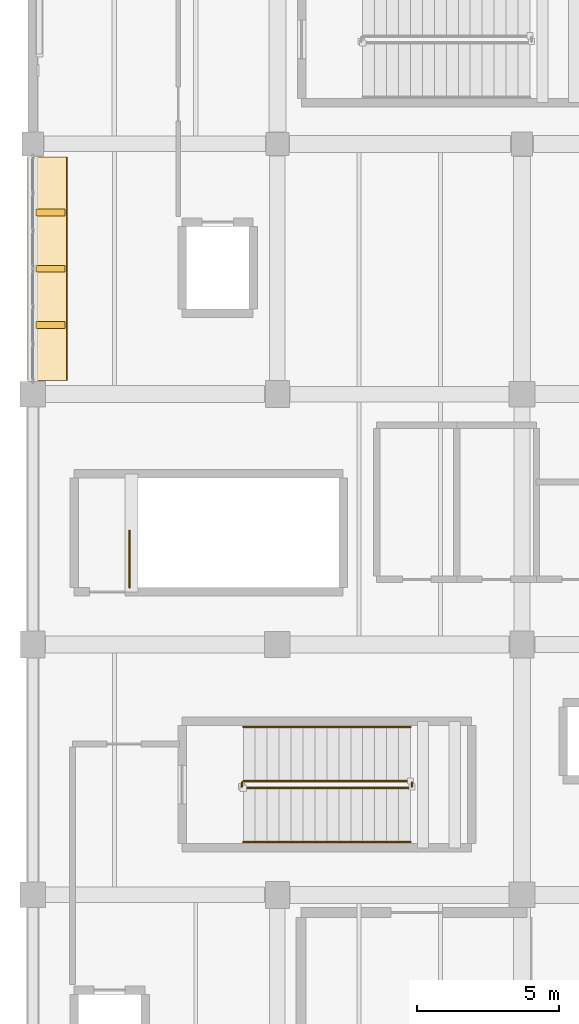
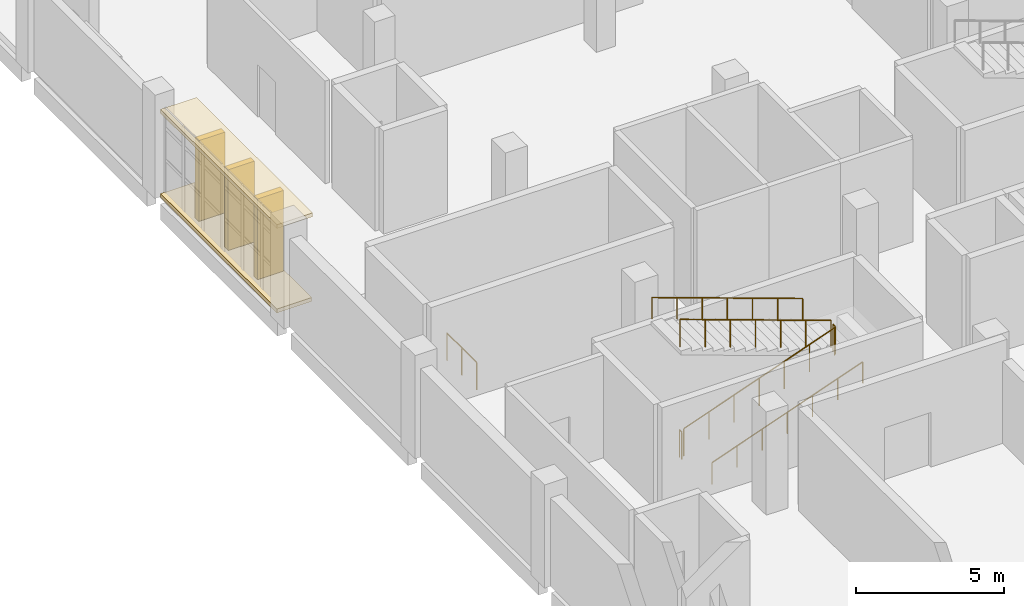
# One storey, part 66 of 76: 7 railings, 3 shading devices, 2 coverings.
"""IFC4 building model written with IfcOpenShell, lengths in metres."""

from ifc_helpers import new_model, si_unit, direction, frame, origin, origin_2d, place, context, subcontext, project, spatial, polyline, rectangle, circle, outline, extrude, material, layer, layer_set, type_object, element, save


model = new_model("IFC4")

# Units and contexts
model_context = context("Model", 3, precision=1e-05, world=origin(), true_north=direction((0.0, 1.0)))
body_context = subcontext(model_context, "Body", "Model", "MODEL_VIEW")
ifc_project = project(units=[si_unit("LENGTHUNIT", "METRE"), si_unit("AREAUNIT", "SQUARE_METRE"), si_unit("VOLUMEUNIT", "CUBIC_METRE"), si_unit("PLANEANGLEUNIT", "RADIAN"), si_unit("MASSUNIT", "GRAM", prefix="KILO")], contexts=[model_context])

# Site, building, storey
site_placement = place(None, origin())
site = spatial("IfcSite", under=ifc_project, at=site_placement, CompositionType="ELEMENT")
building_placement = place(site_placement, origin())
building = spatial("IfcBuilding", under=site, at=building_placement, Name="Varnakota Cinema and Media Centre", CompositionType="ELEMENT")
storey_placement = place(building_placement, origin())
storey = spatial("IfcBuildingStorey", under=building, at=storey_placement, Name="L00", CompositionType="ELEMENT", Elevation=0.0)

# Coverings
ifc_material_1 = material(Name="Precast concrete M40", Category="concrete")
ifc_layer_1 = layer(ifc_material_1, 0.159912109375)
ifc_layer_set_1 = layer_set([ifc_layer_1], Name="Precast concrete M40")
covering_type = type_object("IfcCoveringType", Name="COV-CHAJJA-160", PredefinedType="CLADDING", material=ifc_layer_set_1)
covering_1_placement = place(storey_placement, frame((0.0, 0.0, 3.47509765625)))
element("IfcCovering", 1, at=covering_1_placement, inside=storey, type_object=covering_type, Name="L00 Brutalist chajja overhang V5-W-S-2", PredefinedType="CLADDING", context=body_context, shape_type="SweptSolid", body=[
    extrude(outline(polyline([(-0.179931640625, 43.534912109375), (-0.179931640625, 35.68994140625), (1.219970703125, 35.68994140625), (1.219970703125, 43.534912109375), (-0.179931640625, 43.534912109375)])), origin(), (0.0, 0.0, 1.0), 0.159912109375),
])
covering_2_placement = place(storey_placement, origin())
element("IfcCovering", 2, at=covering_2_placement, inside=storey, type_object=covering_type, Name="L00 brise-soleil base plinth V5-W-S-2", PredefinedType="CLADDING", context=body_context, shape_type="SweptSolid", body=[
    extrude(outline(polyline([(-0.179931640625, 43.534912109375), (-0.179931640625, 35.68994140625), (1.179931640625, 35.68994140625), (1.179931640625, 43.534912109375), (-0.179931640625, 43.534912109375)])), origin(), (0.0, 0.0, 1.0), 0.159912109375),
])

# Railings
ifc_material_2 = material(Name="Structural steel Grade 350 (E350)", Category="steel")
ifc_layer_2 = layer(ifc_material_2, 0.050048828125)
ifc_layer_set_2 = layer_set([ifc_layer_2], Name="Structural steel Grade 350 (E350)")
railing_type_1 = type_object("IfcRailingType", Name="RAIL-STAIR-GUARD-1150", PredefinedType="GUARDRAIL", material=ifc_layer_set_2)
railing_1_placement = place(storey_placement, frame((7.39990234375, 21.35009765625, 0.14990234375)))
element("IfcRailing", 3, at=railing_1_placement, inside=storey, type_object=railing_type_1, Name="L00 ST-01 stair guard 1", PredefinedType="GUARDRAIL", context=body_context, shape_type="SweptSolid", body=[
    extrude(circle(Radius=0.02392578125, at=origin_2d()), frame((0.0, 0.0, 1.1259765625), z_axis=(0.941739257675, 0.0, 0.336343827881), x_axis=(0.0, 1.0, 0.0)), (0.0, 0.0, 1.0), 6.243896484375),
    extrude(circle(Radius=0.02099609375, at=origin_2d()), origin(), (0.0, 0.0, 1.0), 1.101806640625),
    extrude(circle(Radius=0.02099609375, at=origin_2d()), frame((0.97998046875, 0.0, 0.35009765625)), (0.0, 0.0, 1.0), 1.101806640625),
    extrude(circle(Radius=0.02099609375, at=origin_2d()), frame((1.9599609375, 0.0, 0.699951171875)), (0.0, 0.0, 1.0), 1.101806640625),
    extrude(circle(Radius=0.02099609375, at=origin_2d()), frame((2.93994140625, 0.0, 1.050048828125)), (0.0, 0.0, 1.0), 1.101806640625),
    extrude(circle(Radius=0.02099609375, at=origin_2d()), frame((3.920166015625, 0.0, 1.400146484375)), (0.0, 0.0, 1.0), 1.101806640625),
    extrude(circle(Radius=0.02099609375, at=origin_2d()), frame((4.900146484375, 0.0, 1.75)), (0.0, 0.0, 1.0), 1.101806640625),
    extrude(circle(Radius=0.02099609375, at=origin_2d()), frame((5.880126953125, 0.0, 2.10009765625)), (0.0, 0.0, 1.0), 1.101806640625),
])
railing_2_placement = place(storey_placement, frame((13.330078125, 21.39990234375, 2.25)))
element("IfcRailing", 4, at=railing_2_placement, inside=storey, type_object=railing_type_1, Name="L00 ST-01 stair guard 2", PredefinedType="GUARDRAIL", context=body_context, shape_type="SweptSolid", body=[
    extrude(circle(Radius=0.02392578125, at=origin_2d()), frame((0.0, 0.0, 1.1259765625), z_axis=(0.0, 1.0, 0.0), x_axis=(-1.0, 0.0, 0.0)), (0.0, 0.0, 1.0), 0.150146484375),
    extrude(circle(Radius=0.02099609375, at=origin_2d()), origin(), (0.0, 0.0, 1.0), 1.101806640625),
    extrude(circle(Radius=0.02099609375, at=origin_2d()), frame((0.0, 0.150146484375, 0.0)), (0.0, 0.0, 1.0), 1.101806640625),
])
railing_3_placement = place(storey_placement, frame((13.280029296875, 21.60009765625, 2.39990234375)))
element("IfcRailing", 5, at=railing_3_placement, inside=storey, type_object=railing_type_1, Name="L00 ST-01 stair guard 3", PredefinedType="GUARDRAIL", context=body_context, shape_type="SweptSolid", body=[
    extrude(circle(Radius=0.02392578125, at=origin_2d()), frame((0.0, 0.0, 1.1259765625), z_axis=(-0.941739257675, 0.0, 0.336343827881), x_axis=(0.0, -1.0, 0.0)), (0.0, 0.0, 1.0), 6.243896484375),
    extrude(circle(Radius=0.02099609375, at=origin_2d()), origin(), (0.0, 0.0, 1.0), 1.101806640625),
    extrude(circle(Radius=0.02099609375, at=origin_2d()), frame((-0.97998046875, 0.0, 0.35009765625)), (0.0, 0.0, 1.0), 1.101806640625),
    extrude(circle(Radius=0.02099609375, at=origin_2d()), frame((-1.9599609375, 0.0, 0.699951171875)), (0.0, 0.0, 1.0), 1.101806640625),
    extrude(circle(Radius=0.02099609375, at=origin_2d()), frame((-2.93994140625, 0.0, 1.050048828125)), (0.0, 0.0, 1.0), 1.101806640625),
    extrude(circle(Radius=0.02099609375, at=origin_2d()), frame((-3.920166015625, 0.0, 1.400146484375)), (0.0, 0.0, 1.0), 1.101806640625),
    extrude(circle(Radius=0.02099609375, at=origin_2d()), frame((-4.900146484375, 0.0, 1.75)), (0.0, 0.0, 1.0), 1.101806640625),
    extrude(circle(Radius=0.02099609375, at=origin_2d()), frame((-5.880126953125, 0.0, 2.10009765625)), (0.0, 0.0, 1.0), 1.101806640625),
])
railing_4_placement = place(storey_placement, frame((7.35009765625, 21.39990234375, 0.0)))
element("IfcRailing", 6, at=railing_4_placement, inside=storey, type_object=railing_type_1, Name="L00 ST-01 stair guard 4", PredefinedType="GUARDRAIL", context=body_context, shape_type="SweptSolid", body=[
    extrude(circle(Radius=0.02392578125, at=origin_2d()), frame((0.0, 0.0, 1.1259765625), z_axis=(0.0, 1.0, 0.0), x_axis=(-1.0, 0.0, 0.0)), (0.0, 0.0, 1.0), 0.150146484375),
    extrude(circle(Radius=0.02099609375, at=origin_2d()), origin(), (0.0, 0.0, 1.0), 1.101806640625),
    extrude(circle(Radius=0.02099609375, at=origin_2d()), frame((0.0, 0.150146484375, 0.0)), (0.0, 0.0, 1.0), 1.101806640625),
])
railing_5_placement = place(storey_placement, frame((3.39990234375, 28.39990234375, 0.0)))
element("IfcRailing", 7, at=railing_5_placement, inside=storey, type_object=railing_type_1, Name="L00 ST-B1 top well guard 1", PredefinedType="GUARDRAIL", context=body_context, shape_type="SweptSolid", body=[
    extrude(circle(Radius=0.02392578125, at=origin_2d()), frame((0.0, 0.0, 1.1259765625), z_axis=(0.0, 1.0, 0.0), x_axis=(-1.0, 0.0, 0.0)), (0.0, 0.0, 1.0), 2.0),
    extrude(circle(Radius=0.02099609375, at=origin_2d()), origin(), (0.0, 0.0, 1.0), 1.101806640625),
    extrude(circle(Radius=0.02099609375, at=origin_2d()), frame((0.0, 1.0, 0.0)), (0.0, 0.0, 1.0), 1.101806640625),
    extrude(circle(Radius=0.02099609375, at=origin_2d()), frame((0.0, 2.0, 0.0)), (0.0, 0.0, 1.0), 1.101806640625),
])
ifc_material_3 = material(Name="Structural steel Grade 350 (E350)", Category="steel")
ifc_layer_3 = layer(ifc_material_3, 0.048095703125)
ifc_layer_set_3 = layer_set([ifc_layer_3], Name="Structural steel Grade 350 (E350)")
railing_type_2 = type_object("IfcRailingType", Name="RAIL-STAIR-HAND-900", PredefinedType="HANDRAIL", material=ifc_layer_set_3)
railing_6_placement = place(storey_placement, frame((7.39990234375, 19.449951171875, 0.14990234375)))
element("IfcRailing", 8, at=railing_6_placement, inside=storey, type_object=railing_type_2, Name="L00 ST-01 stair handrail 1", PredefinedType="HANDRAIL", context=body_context, shape_type="SweptSolid", body=[
    extrude(circle(Radius=0.02392578125, at=origin_2d()), frame((0.0, 0.0, 0.8759765625), z_axis=(0.941739257675, 0.0, 0.336343827881), x_axis=(0.0, 1.0, 0.0)), (0.0, 0.0, 1.0), 6.243896484375),
    extrude(circle(Radius=0.02099609375, at=origin_2d()), origin(), (0.0, 0.0, 1.0), 0.851806640625),
    extrude(circle(Radius=0.02099609375, at=origin_2d()), frame((0.97998046875, 0.0, 0.35009765625)), (0.0, 0.0, 1.0), 0.851806640625),
    extrude(circle(Radius=0.02099609375, at=origin_2d()), frame((1.9599609375, 0.0, 0.699951171875)), (0.0, 0.0, 1.0), 0.851806640625),
    extrude(circle(Radius=0.02099609375, at=origin_2d()), frame((2.93994140625, 0.0, 1.050048828125)), (0.0, 0.0, 1.0), 0.851806640625),
    extrude(circle(Radius=0.02099609375, at=origin_2d()), frame((3.920166015625, 0.0, 1.400146484375)), (0.0, 0.0, 1.0), 0.851806640625),
    extrude(circle(Radius=0.02099609375, at=origin_2d()), frame((4.900146484375, 0.0, 1.75)), (0.0, 0.0, 1.0), 0.851806640625),
    extrude(circle(Radius=0.02099609375, at=origin_2d()), frame((5.880126953125, 0.0, 2.10009765625)), (0.0, 0.0, 1.0), 0.851806640625),
])
railing_7_placement = place(storey_placement, frame((13.280029296875, 23.5, 2.39990234375)))
element("IfcRailing", 9, at=railing_7_placement, inside=storey, type_object=railing_type_2, Name="L00 ST-01 stair handrail 2", PredefinedType="HANDRAIL", context=body_context, shape_type="SweptSolid", body=[
    extrude(circle(Radius=0.02392578125, at=origin_2d()), frame((0.0, 0.0, 0.8759765625), z_axis=(-0.941739257675, 0.0, 0.336343827881), x_axis=(0.0, -1.0, 0.0)), (0.0, 0.0, 1.0), 6.243896484375),
    extrude(circle(Radius=0.02099609375, at=origin_2d()), origin(), (0.0, 0.0, 1.0), 0.851806640625),
    extrude(circle(Radius=0.02099609375, at=origin_2d()), frame((-0.97998046875, 0.0, 0.35009765625)), (0.0, 0.0, 1.0), 0.851806640625),
    extrude(circle(Radius=0.02099609375, at=origin_2d()), frame((-1.9599609375, 0.0, 0.699951171875)), (0.0, 0.0, 1.0), 0.851806640625),
    extrude(circle(Radius=0.02099609375, at=origin_2d()), frame((-2.93994140625, 0.0, 1.050048828125)), (0.0, 0.0, 1.0), 0.851806640625),
    extrude(circle(Radius=0.02099609375, at=origin_2d()), frame((-3.920166015625, 0.0, 1.400146484375)), (0.0, 0.0, 1.0), 0.851806640625),
    extrude(circle(Radius=0.02099609375, at=origin_2d()), frame((-4.900146484375, 0.0, 1.75)), (0.0, 0.0, 1.0), 0.851806640625),
    extrude(circle(Radius=0.02099609375, at=origin_2d()), frame((-5.880126953125, 0.0, 2.10009765625)), (0.0, 0.0, 1.0), 0.851806640625),
])

# Shading devices
ifc_material_4 = material(Name="Precast concrete M40", Category="concrete")
shading_device_type = type_object("IfcShadingDeviceType", Name="SHD-BRISE-FIN-240", PredefinedType="JALOUSIE", material=ifc_material_4)
for number, where, z_axis, x_axis, name in (
    (10, (0.6298828125, 41.59375, 0.14990234375), (0.0, 0.0, 1.0), (0.0, -1.0, 0.0), "L00 vertical concrete brise-soleil fin V5-W-S-2.1"),
    (11, (0.6298828125, 39.612548828125, 0.14990234375), (0.0, 0.0, 1.0), (0.0, -1.0, 0.0), "L00 vertical concrete brise-soleil fin V5-W-S-2.2"),
    (12, (0.6298828125, 37.631103515625, 0.14990234375), (0.0, 0.0, 1.0), (0.0, -1.0, 0.0), "L00 vertical concrete brise-soleil fin V5-W-S-2.3"),
):
    element("IfcShadingDevice", number, at=place(storey_placement, frame(where, z_axis=z_axis, x_axis=x_axis)), inside=storey, type_object=shading_device_type, Name=name, PredefinedType="JALOUSIE", context=body_context, shape_type="SweptSolid", body=[
        extrude(rectangle(XDim=0.239990234375, YDim=1.02001953125, at=origin_2d()), origin(), (0.0, 0.0, 1.0), 3.3349609375),
    ])

save(model, "model.ifc")
